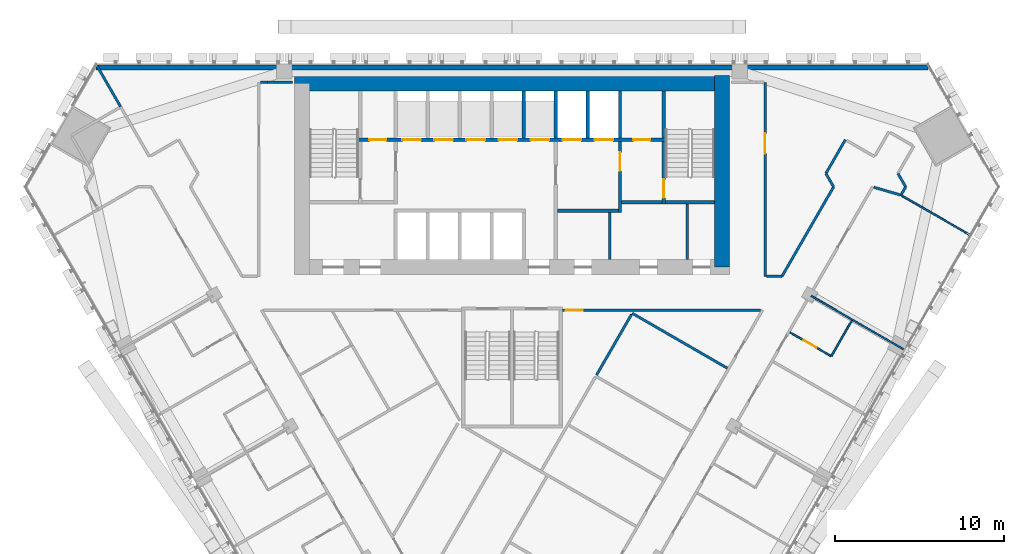
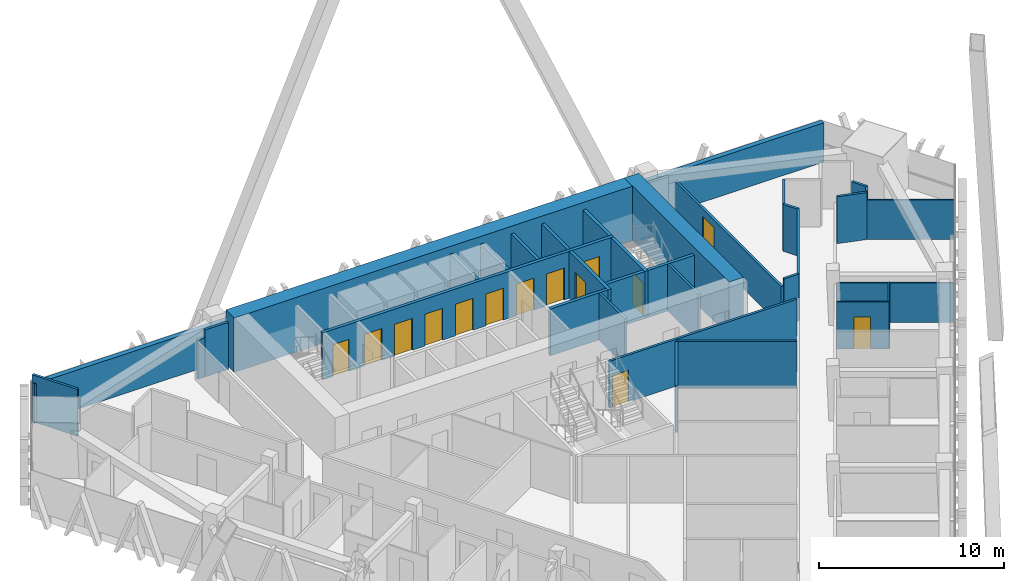
# One storey, part 19 of 23: 34 walls, 14 doors, 14 openings.
"""IFC4 building model written with IfcOpenShell, lengths in metres."""

from ifc_helpers import new_model, si_unit, direction, frame, frame_2d, origin, place, context, subcontext, project, spatial, rectangle, extrude, material, layer, layer_set, type_object, element, fill, save


model = new_model("IFC4")

# Units and contexts
model_context = context("Model", 3, precision=1e-05, world=origin(), true_north=direction((0.0, 1.0)))
body_context = subcontext(model_context, "Body", "Model", "MODEL_VIEW")
ifc_project = project(units=[si_unit("LENGTHUNIT", "METRE"), si_unit("AREAUNIT", "SQUARE_METRE"), si_unit("VOLUMEUNIT", "CUBIC_METRE"), si_unit("PLANEANGLEUNIT", "RADIAN"), si_unit("MASSUNIT", "GRAM", prefix="KILO")], contexts=[model_context])

# Site, building, storey
site_placement = place(None, origin())
site = spatial("IfcSite", under=ifc_project, at=site_placement, CompositionType="ELEMENT")
building_placement = place(site_placement, origin())
building = spatial("IfcBuilding", under=site, at=building_placement, Name="Altiplano Prism Tower", CompositionType="ELEMENT")
storey_placement = place(building_placement, frame((0.0, 0.0, 100.800048828125)))
storey = spatial("IfcBuildingStorey", under=building, at=storey_placement, Name="L25", CompositionType="ELEMENT", Elevation=100.800048828125)

# Walls
ifc_material_1 = material(Name="Concrete C70/85", Category="concrete")
ifc_layer_1 = layer(ifc_material_1, 0.89990234375)
ifc_layer_set_1 = layer_set([ifc_layer_1], Name="Concrete C70/85")
wall_type_1 = type_object("IfcWallType", Name="Core wall 900", PredefinedType="SHEAR", material=ifc_layer_set_1)
wall_1_placement = place(storey_placement, frame((97.449951171875, 92.949951171875, 0.0), z_axis=(0.0, 0.0, 1.0), x_axis=(0.0, 1.0, 0.0)))
element("IfcWall", 1, at=wall_1_placement, inside=storey, type_object=wall_type_1, Name="Core wall E L25", PredefinedType="SHEAR", context=body_context, shape_type="SweptSolid", body=[
    extrude(rectangle(XDim=11.35009765625, YDim=0.89990234375, at=frame_2d((5.675048828125, 0.0))), origin(), (0.0, 0.0, 1.0), 3.599853515625),
])
wall_2_placement = place(storey_placement, frame((97.449951171875, 103.85009765625, 0.0), z_axis=(0.0, 0.0, 1.0), x_axis=(-1.0, 0.0, 0.0)))
element("IfcWall", 2, at=wall_2_placement, inside=storey, type_object=wall_type_1, Name="Core wall N L25", PredefinedType="SHEAR", context=body_context, shape_type="SweptSolid", body=[
    extrude(rectangle(XDim=25.349853515625, YDim=0.89990234375, at=frame_2d((12.6748046875, 0.0))), origin(), (0.0, 0.0, 1.0), 3.599853515625),
])
ifc_material_2 = material(Name="Plasterboard on steel stud", Category="steel")
ifc_layer_2 = layer(ifc_material_2, 0.10009765625)
ifc_layer_set_2 = layer_set([ifc_layer_2], Name="Plasterboard on steel stud")
wall_type_2 = type_object("IfcWallType", Name="Partition 100 unit", PredefinedType="PARTITIONING", material=ifc_layer_set_2)
wall_3_placement = place(storey_placement, frame((105.154052734375, 89.788330078125, 0.0), z_axis=(0.0, 0.0, 1.0), x_axis=(-0.500018594424, -0.866014668023, 0.0)))
element("IfcWall", 3, at=wall_3_placement, inside=storey, type_object=wall_type_2, Name="Partition P02 L25 076", PredefinedType="PARTITIONING", context=body_context, shape_type="SweptSolid", body=[
    extrude(rectangle(XDim=2.4501953125, YDim=0.10009765625, at=frame_2d((1.22509765625, 0.0))), origin(), (0.0, 0.0, 1.0), 2.699951171875),
])

# Wall, opening, door
wall_4_placement = place(storey_placement, frame((103.928955078125, 87.66650390625, 0.0), z_axis=(0.0, 0.0, 1.0), x_axis=(-0.866048868473, 0.499959355765, 0.0)))
wall_4 = element("IfcWall", 4, at=wall_4_placement, inside=storey, type_object=wall_type_2, Name="Partition P02 L25 077", PredefinedType="PARTITIONING", context=body_context, shape_type="SweptSolid", body=[
    extrude(rectangle(XDim=2.824951171875, YDim=0.10009765625, at=frame_2d((1.41259765625, 0.0))), origin(), (0.0, 0.0, 1.0), 3.099853515625),
])
opening_1_placement = place(wall_4_placement, frame((1.0, 0.0, 0.0)))
opening_1 = element("IfcOpeningElement", 5, at=opening_1_placement, cuts=wall_4, Name="Opening D0935", PredefinedType="OPENING", context=body_context, shape_type="SweptSolid", body=[
    extrude(rectangle(XDim=0.89990234375, YDim=2.10009765625, at=frame_2d((0.449951171875, 1.050048828125))), frame((0.0, 0.060546875, 0.0), z_axis=(0.0, -1.0, 0.0), x_axis=(1.0, 0.0, 0.0)), (0.0, 0.0, 1.0), 0.12109375),
])
ifc_material_3 = material(Name="Timber", Category="wood")
door_type_1 = type_object("IfcDoorType", Name="Ensuite door 900 x 2100", OperationType="NOTDEFINED", PredefinedType="NOTDEFINED", material=ifc_material_3)
door_1_placement = place(opening_1_placement, origin())
door_1 = element("IfcDoor", 6, at=door_1_placement, inside=storey, type_object=door_type_1, Name="Door D0935", OperationType="SINGLE_SWING_LEFT", OverallHeight=2.10009765625, OverallWidth=0.89990234375, PredefinedType="NOTDEFINED", context=body_context, shape_type="SweptSolid", body=[
    extrude(rectangle(XDim=0.89990234375, YDim=2.10009765625, at=frame_2d((0.449951171875, 1.050048828125))), frame((0.0, 0.02490234375, 0.0), z_axis=(0.0, -1.0, 0.0), x_axis=(1.0, 0.0, 0.0)), (0.0, 0.0, 1.0), 0.050048828125),
])
fill(opening_1, door_1)

# Walls
ifc_layer_3 = layer(ifc_material_2, 0.10009765625)
ifc_layer_set_3 = layer_set([ifc_layer_3], Name="Plasterboard on steel stud")
wall_type_3 = type_object("IfcWallType", Name="Partition 100 wet", PredefinedType="PARTITIONING", material=ifc_layer_set_3)
wall_5_placement = place(storey_placement, frame((108.210205078125, 88.08154296875, 0.0), z_axis=(0.0, 0.0, 1.0), x_axis=(-0.866025537322, 0.499999768706, 0.0)))
element("IfcWall", 7, at=wall_5_placement, inside=storey, type_object=wall_type_3, Name="Partition P03 L25 078", PredefinedType="PARTITIONING", context=body_context, shape_type="SweptSolid", body=[
    extrude(rectangle(XDim=6.3251953125, YDim=0.10009765625, at=frame_2d((3.16259765625, 0.0))), origin(), (0.0, 0.0, 1.0), 2.599853515625),
])
wall_6_placement = place(storey_placement, frame((112.1455078125, 94.857421875, 0.0), z_axis=(0.0, 0.0, 1.0), x_axis=(-0.866028828302, 0.499994068514, 0.0)))
element("IfcWall", 8, at=wall_6_placement, inside=storey, type_object=wall_type_3, Name="Partition P03 L25 079", PredefinedType="PARTITIONING", context=body_context, shape_type="SweptSolid", body=[
    extrude(rectangle(XDim=4.72021484375, YDim=0.10009765625, at=frame_2d((2.360107421875, 0.0))), origin(), (0.0, 0.0, 1.0), 2.599853515625),
])

# Wall, opening, door
ifc_layer_4 = layer(ifc_material_2, 0.14990234375)
ifc_layer_set_4 = layer_set([ifc_layer_4], Name="Plasterboard on steel stud")
wall_type_4 = type_object("IfcWallType", Name="Partition 150 corridor", PredefinedType="PARTITIONING", material=ifc_layer_set_4)
wall_7_placement = place(storey_placement, frame((88.0, 90.39990234375, 0.0), z_axis=(0.0, 0.0, 1.0), x_axis=(1.0, 0.0, 0.0)))
wall_7 = element("IfcWall", 9, at=wall_7_placement, inside=storey, type_object=wall_type_4, Name="Partition P06 L25 003", PredefinedType="PARTITIONING", context=body_context, shape_type="SweptSolid", body=[
    extrude(rectangle(XDim=11.71923828125, YDim=0.14990234375, at=frame_2d((5.859619140625, 0.0))), origin(), (0.0, 0.0, 1.0), 3.099853515625),
])
opening_2_placement = place(wall_7_placement, frame((0.199951171875, 0.0, 0.0)))
opening_2 = element("IfcOpeningElement", 10, at=opening_2_placement, cuts=wall_7, Name="Opening D0944", PredefinedType="OPENING", context=body_context, shape_type="SweptSolid", body=[
    extrude(rectangle(XDim=1.0, YDim=2.10009765625, at=frame_2d((0.5, 1.050048828125))), frame((0.0, 0.08544921875, 0.0), z_axis=(0.0, -1.0, 0.0), x_axis=(1.0, 0.0, 0.0)), (0.0, 0.0, 1.0), 0.1708984375),
])
door_type_2 = type_object("IfcDoorType", Name="Store door 1000 x 2100", OperationType="NOTDEFINED", PredefinedType="NOTDEFINED", material=ifc_material_3)
door_2_placement = place(opening_2_placement, origin())
door_2 = element("IfcDoor", 11, at=door_2_placement, inside=storey, type_object=door_type_2, Name="Door D0944", OperationType="SINGLE_SWING_LEFT", OverallHeight=2.10009765625, OverallWidth=1.0, PredefinedType="NOTDEFINED", context=body_context, shape_type="SweptSolid", body=[
    extrude(rectangle(XDim=1.0, YDim=2.10009765625, at=frame_2d((0.5, 1.050048828125))), frame((0.0, 0.02490234375, 0.0), z_axis=(0.0, -1.0, 0.0), x_axis=(1.0, 0.0, 0.0)), (0.0, 0.0, 1.0), 0.050048828125),
])
fill(opening_2, door_2)

# Walls
wall_8_placement = place(storey_placement, frame((106.44677734375, 97.685791015625, 0.0), z_axis=(0.0, 0.0, 1.0), x_axis=(0.96025063578, -0.279139242108, 0.0)))
element("IfcWall", 12, at=wall_8_placement, inside=storey, type_object=wall_type_4, Name="Partition P06 L25 013", PredefinedType="PARTITIONING", context=body_context, shape_type="SweptSolid", body=[
    extrude(rectangle(XDim=1.677490234375, YDim=0.14990234375, at=frame_2d((0.8388671875, 0.0))), origin(), (0.0, 0.0, 1.0), 3.099853515625),
])
wall_9_placement = place(storey_placement, frame((108.093994140625, 97.280517578125, 0.0), z_axis=(0.0, 0.0, 1.0), x_axis=(0.500037662692, 0.866003658127, 0.0)))
element("IfcWall", 13, at=wall_9_placement, inside=storey, type_object=wall_type_4, Name="Partition P06 L25 014", PredefinedType="PARTITIONING", context=body_context, shape_type="SweptSolid", body=[
    extrude(rectangle(XDim=0.49169921875, YDim=0.14990234375, at=frame_2d((0.245849609375, 0.0))), origin(), (0.0, 0.0, 1.0), 3.099853515625),
])
wall_10_placement = place(storey_placement, frame((108.33984375, 97.706298828125, 0.0), z_axis=(0.0, 0.0, 1.0), x_axis=(-0.500006847747, 0.8660214502, 0.0)))
element("IfcWall", 14, at=wall_10_placement, inside=storey, type_object=wall_type_4, Name="Partition P06 L25 015", PredefinedType="PARTITIONING", context=body_context, shape_type="SweptSolid", body=[
    extrude(rectangle(XDim=0.91650390625, YDim=0.14990234375, at=frame_2d((0.458251953125, 0.0))), origin(), (0.0, 0.0, 1.0), 3.099853515625),
])
wall_11_placement = place(storey_placement, frame((104.763916015625, 100.5, 0.0), z_axis=(0.0, 0.0, 1.0), x_axis=(-0.500027479704, -0.866009537788, 0.0)))
element("IfcWall", 15, at=wall_11_placement, inside=storey, type_object=wall_type_4, Name="Partition P06 L25 020", PredefinedType="PARTITIONING", context=body_context, shape_type="SweptSolid", body=[
    extrude(rectangle(XDim=2.309326171875, YDim=0.14990234375, at=frame_2d((1.15478515625, 0.0))), origin(), (0.0, 0.0, 1.0), 3.099853515625),
])
wall_12_placement = place(storey_placement, frame((103.609130859375, 98.5, 0.0), z_axis=(0.0, 0.0, 1.0), x_axis=(0.500006847747, -0.8660214502, 0.0)))
element("IfcWall", 16, at=wall_12_placement, inside=storey, type_object=wall_type_4, Name="Partition P06 L25 021", PredefinedType="PARTITIONING", context=body_context, shape_type="SweptSolid", body=[
    extrude(rectangle(XDim=0.91650390625, YDim=0.14990234375, at=frame_2d((0.458251953125, 0.0))), origin(), (0.0, 0.0, 1.0), 3.099853515625),
])
wall_13_placement = place(storey_placement, frame((104.0673828125, 97.706298828125, 0.0), z_axis=(0.0, 0.0, 1.0), x_axis=(-0.499978838982, -0.866037620759, 0.0)))
element("IfcWall", 17, at=wall_13_placement, inside=storey, type_object=wall_type_4, Name="Partition P06 L25 022", PredefinedType="PARTITIONING", context=body_context, shape_type="SweptSolid", body=[
    extrude(rectangle(XDim=6.127197265625, YDim=0.14990234375, at=frame_2d((3.0634765625, 0.0))), origin(), (0.0, 0.0, 1.0), 3.099853515625),
])
wall_14_placement = place(storey_placement, frame((101.00390625, 92.39990234375, 0.0), z_axis=(0.0, 0.0, 1.0), x_axis=(-1.0, 0.0, 0.0)))
element("IfcWall", 18, at=wall_14_placement, inside=storey, type_object=wall_type_4, Name="Partition P06 L25 023", PredefinedType="PARTITIONING", context=body_context, shape_type="SweptSolid", body=[
    extrude(rectangle(XDim=0.928955078125, YDim=0.14990234375, at=frame_2d((0.46435546875, 0.0))), origin(), (0.0, 0.0, 1.0), 3.099853515625),
])

# Wall, opening, door
wall_15_placement = place(storey_placement, frame((100.0, 92.39990234375, 0.0), z_axis=(0.0, 0.0, 1.0), x_axis=(0.0, 1.0, 0.0)))
wall_15 = element("IfcWall", 19, at=wall_15_placement, inside=storey, type_object=wall_type_4, Name="Partition P06 L25 024", PredefinedType="PARTITIONING", context=body_context, shape_type="SweptSolid", body=[
    extrude(rectangle(XDim=11.5, YDim=0.14990234375, at=frame_2d((5.75, 0.0))), origin(), (0.0, 0.0, 1.0), 2.599853515625),
])
opening_3_placement = place(wall_15_placement, frame((7.281005859375, 0.0, 0.0)))
opening_3 = element("IfcOpeningElement", 20, at=opening_3_placement, cuts=wall_15, Name="Opening D0937", PredefinedType="OPENING", context=body_context, shape_type="SweptSolid", body=[
    extrude(rectangle(XDim=1.199951171875, YDim=2.10009765625, at=frame_2d((0.60009765625, 1.050048828125))), frame((0.0, 0.08544921875, 0.0), z_axis=(0.0, -1.0, 0.0), x_axis=(1.0, 0.0, 0.0)), (0.0, 0.0, 1.0), 0.1708984375),
])
door_type_3 = type_object("IfcDoorType", Name="Shared room door 1200 x 2100", OperationType="NOTDEFINED", PredefinedType="NOTDEFINED", material=ifc_material_3)
door_3_placement = place(opening_3_placement, origin())
door_3 = element("IfcDoor", 21, at=door_3_placement, inside=storey, type_object=door_type_3, Name="Door D0937", OperationType="SINGLE_SWING_LEFT", OverallHeight=2.10009765625, OverallWidth=1.199951171875, PredefinedType="NOTDEFINED", context=body_context, shape_type="SweptSolid", body=[
    extrude(rectangle(XDim=1.199951171875, YDim=2.10009765625, at=frame_2d((0.60009765625, 1.050048828125))), frame((0.0, 0.02490234375, 0.0), z_axis=(0.0, -1.0, 0.0), x_axis=(1.0, 0.0, 0.0)), (0.0, 0.0, 1.0), 0.050048828125),
])
fill(opening_3, door_3)

# Walls
wall_16_placement = place(storey_placement, frame((72.0, 103.89990234375, 0.0), z_axis=(0.0, 0.0, 1.0), x_axis=(-1.0, 0.0, 0.0)))
element("IfcWall", 22, at=wall_16_placement, inside=storey, type_object=wall_type_4, Name="Partition P06 L25 027", PredefinedType="PARTITIONING", context=body_context, shape_type="SweptSolid", body=[
    extrude(rectangle(XDim=1.4931640625, YDim=0.14990234375, at=frame_2d((0.74658203125, 0.0))), origin(), (0.0, 0.0, 1.0), 3.099853515625),
])
wall_17_placement = place(storey_placement, frame((70.5068359375, 103.89990234375, 0.0), z_axis=(0.0, 0.0, 1.0), x_axis=(-1.0, 0.0, 0.0)))
element("IfcWall", 23, at=wall_17_placement, inside=storey, type_object=wall_type_4, Name="Partition P06 L25 028", PredefinedType="PARTITIONING", context=body_context, shape_type="SweptSolid", body=[
    extrude(rectangle(XDim=0.431884765625, YDim=0.14990234375, at=frame_2d((0.2158203125, 0.0))), origin(), (0.0, 0.0, 1.0), 2.599853515625),
])
ifc_layer_5 = layer(ifc_material_2, 0.14990234375)
ifc_layer_set_5 = layer_set([ifc_layer_5], Name="Plasterboard on steel stud")
wall_type_5 = type_object("IfcWallType", Name="Partition 150 party", PredefinedType="PARTITIONING", material=ifc_layer_set_5)
wall_18_placement = place(storey_placement, frame((92.126220703125, 90.213623046875, 0.0), z_axis=(0.0, 0.0, 1.0), x_axis=(0.866024706996, -0.500001206871, 0.0)))
element("IfcWall", 24, at=wall_18_placement, inside=storey, type_object=wall_type_5, Name="Partition P01 L25 043", PredefinedType="PARTITIONING", context=body_context, shape_type="SweptSolid", body=[
    extrude(rectangle(XDim=6.52001953125, YDim=0.14990234375, at=frame_2d((3.260009765625, 0.0))), origin(), (0.0, 0.0, 1.0), 3.099853515625),
])
wall_19_placement = place(storey_placement, frame((61.7939453125, 102.4619140625, 0.0), z_axis=(0.0, 0.0, 1.0), x_axis=(-0.49997269499, 0.866041167766, 0.0)))
element("IfcWall", 25, at=wall_19_placement, inside=storey, type_object=wall_type_5, Name="Partition P01 L25 046", PredefinedType="PARTITIONING", context=body_context, shape_type="SweptSolid", body=[
    extrude(rectangle(XDim=2.815185546875, YDim=0.14990234375, at=frame_2d((1.40771484375, 0.0))), origin(), (0.0, 0.0, 1.0), 3.099853515625),
])
wall_20_placement = place(storey_placement, frame((92.088623046875, 90.148681640625, 0.0), z_axis=(0.0, 0.0, 1.0), x_axis=(-0.500010491815, -0.866019346247, 0.0)))
element("IfcWall", 26, at=wall_20_placement, inside=storey, type_object=wall_type_5, Name="Partition P01 L25 084", PredefinedType="PARTITIONING", context=body_context, shape_type="SweptSolid", body=[
    extrude(rectangle(XDim=4.15771484375, YDim=0.14990234375, at=frame_2d((2.078857421875, 0.0))), origin(), (0.0, 0.0, 1.0), 3.099853515625),
])
ifc_material_4 = material(Name="Fire-rated gypsum board partition")
ifc_layer_6 = layer(ifc_material_4, 0.14990234375)
ifc_layer_set_6 = layer_set([ifc_layer_6], Name="Fire-rated gypsum board partition")
wall_type_6 = type_object("IfcWallType", Name="Room partition 150", PredefinedType="PARTITIONING", material=ifc_layer_set_6)
wall_21_placement = place(storey_placement, frame((90.800048828125, 93.39990234375, 0.0), z_axis=(0.0, 0.0, 1.0), x_axis=(0.0, 1.0, 0.0)))
element("IfcWall", 27, at=wall_21_placement, inside=storey, type_object=wall_type_6, Name="Room partition L25", PredefinedType="PARTITIONING", context=body_context, shape_type="SweptSolid", body=[
    extrude(rectangle(XDim=2.800048828125, YDim=0.14990234375, at=frame_2d((1.39990234375, 0.0))), origin(), (0.0, 0.0, 1.0), 3.099853515625),
])
wall_22_placement = place(storey_placement, frame((95.39990234375, 93.39990234375, 0.0), z_axis=(0.0, 0.0, 1.0), x_axis=(0.0, 1.0, 0.0)))
element("IfcWall", 28, at=wall_22_placement, inside=storey, type_object=wall_type_6, Name="Room partition L25", PredefinedType="PARTITIONING", context=body_context, shape_type="SweptSolid", body=[
    extrude(rectangle(XDim=3.300048828125, YDim=0.14990234375, at=frame_2d((1.64990234375, 0.0))), origin(), (0.0, 0.0, 1.0), 3.099853515625),
])
ifc_material_5 = material(Name="Concrete C60/75", Category="concrete")
ifc_layer_7 = layer(ifc_material_5, 0.199951171875)
ifc_layer_set_7 = layer_set([ifc_layer_7], Name="Concrete C60/75")
wall_type_7 = type_object("IfcWallType", Name="Shaft wall 200", PredefinedType="SOLIDWALL", material=ifc_layer_set_7)
for number, where, z_axis, x_axis, name in (
    (29, (85.699951171875, 100.60009765625, 0.0), (0.0, 0.0, 1.0), (0.0, 1.0, 0.0), "Shaft wall L25"),
    (30, (87.60009765625, 100.60009765625, 0.0), (0.0, 0.0, 1.0), (0.0, 1.0, 0.0), "Shaft wall L25"),
    (31, (89.5, 100.60009765625, 0.0), (0.0, 0.0, 1.0), (0.0, 1.0, 0.0), "Shaft wall L25"),
    (32, (91.39990234375, 100.60009765625, 0.0), (0.0, 0.0, 1.0), (0.0, 1.0, 0.0), "Shaft wall L25"),
):
    element("IfcWall", number, at=place(storey_placement, frame(where, z_axis=z_axis, x_axis=x_axis)), inside=storey, type_object=wall_type_7, Name=name, PredefinedType="SOLIDWALL", context=body_context, shape_type="SweptSolid", body=[
        extrude(rectangle(XDim=2.7998046875, YDim=0.199951171875, at=frame_2d((1.39990234375, 0.0))), origin(), (0.0, 0.0, 1.0), 3.099853515625),
    ])

# Wall, opening, door
ifc_layer_8 = layer(ifc_material_5, 0.199951171875)
ifc_layer_set_8 = layer_set([ifc_layer_8], Name="Concrete C60/75")
wall_type_8 = type_object("IfcWallType", Name="Stair wall 200", PredefinedType="SOLIDWALL", material=ifc_layer_set_8)
wall_23_placement = place(storey_placement, frame((94.0, 96.699951171875, 0.0), z_axis=(0.0, 0.0, 1.0), x_axis=(0.0, 1.0, 0.0)))
wall_23 = element("IfcWall", 33, at=wall_23_placement, inside=storey, type_object=wall_type_8, Name="Stair wall L25", PredefinedType="SOLIDWALL", context=body_context, shape_type="SweptSolid", body=[
    extrude(rectangle(XDim=3.699951171875, YDim=0.199951171875, at=frame_2d((1.85009765625, 0.0))), origin(), (0.0, 0.0, 1.0), 3.099853515625),
])
opening_4_placement = place(wall_23_placement, frame((0.35009765625, 0.0, 0.0)))
opening_4 = element("IfcOpeningElement", 34, at=opening_4_placement, cuts=wall_23, Name="Opening D2921", PredefinedType="OPENING", context=body_context, shape_type="SweptSolid", body=[
    extrude(rectangle(XDim=1.10009765625, YDim=2.10009765625, at=frame_2d((0.550048828125, 1.050048828125))), frame((0.0, 0.1103515625, 0.0), z_axis=(0.0, -1.0, 0.0), x_axis=(1.0, 0.0, 0.0)), (0.0, 0.0, 1.0), 0.220947265625),
])
ifc_material_6 = material(Name="Fire-rated steel door", Category="steel")
door_type_4 = type_object("IfcDoorType", Name="Stair fire door 1100 x 2100", OperationType="NOTDEFINED", PredefinedType="NOTDEFINED", material=ifc_material_6)
door_4_placement = place(opening_4_placement, origin())
door_4 = element("IfcDoor", 35, at=door_4_placement, inside=storey, type_object=door_type_4, Name="Stair fire door D2921", OperationType="SINGLE_SWING_LEFT", OverallHeight=2.10009765625, OverallWidth=1.10009765625, PredefinedType="NOTDEFINED", context=body_context, shape_type="SweptSolid", body=[
    extrude(rectangle(XDim=1.10009765625, YDim=2.10009765625, at=frame_2d((0.550048828125, 1.050048828125))), frame((0.0, 0.02490234375, 0.0), z_axis=(0.0, -1.0, 0.0), x_axis=(1.0, 0.0, 0.0)), (0.0, 0.0, 1.0), 0.050048828125),
])
fill(opening_4, door_4)

# Wall
wall_24_placement = place(storey_placement, frame((94.10009765625, 96.800048828125, 0.0), z_axis=(0.0, 0.0, 1.0), x_axis=(1.0, 0.0, 0.0)))
element("IfcWall", 36, at=wall_24_placement, inside=storey, type_object=wall_type_8, Name="Stair wall L25", PredefinedType="SOLIDWALL", context=body_context, shape_type="SweptSolid", body=[
    extrude(rectangle(XDim=2.89990234375, YDim=0.199951171875, at=frame_2d((1.449951171875, 0.0))), origin(), (0.0, 0.0, 1.0), 3.099853515625),
])

# Wall, openings, doors
wall_25_placement = place(storey_placement, frame((75.89990234375, 100.5, 0.0), z_axis=(0.0, 0.0, 1.0), x_axis=(1.0, 0.0, 0.0)))
wall_25 = element("IfcWall", 37, at=wall_25_placement, inside=storey, type_object=wall_type_8, Name="Stair wall L25", PredefinedType="SOLIDWALL", context=body_context, shape_type="SweptSolid", body=[
    extrude(rectangle(XDim=18.2001953125, YDim=0.199951171875, at=frame_2d((9.10009765625, 0.0))), origin(), (0.0, 0.0, 1.0), 3.099853515625),
])
opening_5_placement = place(wall_25_placement, frame((2.60009765625, 0.0, 0.0)))
opening_5 = element("IfcOpeningElement", 38, at=opening_5_placement, cuts=wall_25, Name="Opening LD-LL1-L25", PredefinedType="OPENING", context=body_context, shape_type="SweptSolid", body=[
    extrude(rectangle(XDim=1.10009765625, YDim=2.10009765625, at=frame_2d((0.550048828125, 1.050048828125))), frame((0.0, 0.1103515625, 0.0), z_axis=(0.0, -1.0, 0.0), x_axis=(1.0, 0.0, 0.0)), (0.0, 0.0, 1.0), 0.220947265625),
])
opening_6_placement = place(wall_25_placement, frame((4.5, 0.0, 0.0)))
opening_6 = element("IfcOpeningElement", 39, at=opening_6_placement, cuts=wall_25, Name="Opening LD-LL2-L25", PredefinedType="OPENING", context=body_context, shape_type="SweptSolid", body=[
    extrude(rectangle(XDim=1.10009765625, YDim=2.10009765625, at=frame_2d((0.550048828125, 1.050048828125))), frame((0.0, 0.1103515625, 0.0), z_axis=(0.0, -1.0, 0.0), x_axis=(1.0, 0.0, 0.0)), (0.0, 0.0, 1.0), 0.220947265625),
])
opening_7_placement = place(wall_25_placement, frame((6.39990234375, 0.0, 0.0)))
opening_7 = element("IfcOpeningElement", 40, at=opening_7_placement, cuts=wall_25, Name="Opening LD-LL3-L25", PredefinedType="OPENING", context=body_context, shape_type="SweptSolid", body=[
    extrude(rectangle(XDim=1.10009765625, YDim=2.10009765625, at=frame_2d((0.550048828125, 1.050048828125))), frame((0.0, 0.1103515625, 0.0), z_axis=(0.0, -1.0, 0.0), x_axis=(1.0, 0.0, 0.0)), (0.0, 0.0, 1.0), 0.220947265625),
])
opening_8_placement = place(wall_25_placement, frame((8.300048828125, 0.0, 0.0)))
opening_8 = element("IfcOpeningElement", 41, at=opening_8_placement, cuts=wall_25, Name="Opening LD-LL4-L25", PredefinedType="OPENING", context=body_context, shape_type="SweptSolid", body=[
    extrude(rectangle(XDim=1.10009765625, YDim=2.10009765625, at=frame_2d((0.550048828125, 1.050048828125))), frame((0.0, 0.1103515625, 0.0), z_axis=(0.0, -1.0, 0.0), x_axis=(1.0, 0.0, 0.0)), (0.0, 0.0, 1.0), 0.220947265625),
])
opening_9_placement = place(wall_25_placement, frame((10.199951171875, 0.0, 0.0)))
opening_9 = element("IfcOpeningElement", 42, at=opening_9_placement, cuts=wall_25, Name="Opening LD-LL5-L25", PredefinedType="OPENING", context=body_context, shape_type="SweptSolid", body=[
    extrude(rectangle(XDim=1.10009765625, YDim=2.10009765625, at=frame_2d((0.550048828125, 1.050048828125))), frame((0.0, 0.1103515625, 0.0), z_axis=(0.0, -1.0, 0.0), x_axis=(1.0, 0.0, 0.0)), (0.0, 0.0, 1.0), 0.220947265625),
])
opening_10_placement = place(wall_25_placement, frame((12.10009765625, 0.0, 0.0)))
opening_10 = element("IfcOpeningElement", 43, at=opening_10_placement, cuts=wall_25, Name="Opening LD-FF1-L25", PredefinedType="OPENING", context=body_context, shape_type="SweptSolid", body=[
    extrude(rectangle(XDim=1.10009765625, YDim=2.10009765625, at=frame_2d((0.550048828125, 1.050048828125))), frame((0.0, 0.1103515625, 0.0), z_axis=(0.0, -1.0, 0.0), x_axis=(1.0, 0.0, 0.0)), (0.0, 0.0, 1.0), 0.220947265625),
])
opening_11_placement = place(wall_25_placement, frame((14.0, 0.0, 0.0)))
opening_11 = element("IfcOpeningElement", 44, at=opening_11_placement, cuts=wall_25, Name="Opening LD-FF2-L25", PredefinedType="OPENING", context=body_context, shape_type="SweptSolid", body=[
    extrude(rectangle(XDim=1.10009765625, YDim=2.10009765625, at=frame_2d((0.550048828125, 1.050048828125))), frame((0.0, 0.1103515625, 0.0), z_axis=(0.0, -1.0, 0.0), x_axis=(1.0, 0.0, 0.0)), (0.0, 0.0, 1.0), 0.220947265625),
])
opening_12_placement = place(wall_25_placement, frame((0.64990234375, 0.0, 0.0)))
opening_12 = element("IfcOpeningElement", 45, at=opening_12_placement, cuts=wall_25, Name="Opening D2928", PredefinedType="OPENING", context=body_context, shape_type="SweptSolid", body=[
    extrude(rectangle(XDim=1.0, YDim=2.10009765625, at=frame_2d((0.5, 1.050048828125))), frame((0.0, 0.1103515625, 0.0), z_axis=(0.0, -1.0, 0.0), x_axis=(1.0, 0.0, 0.0)), (0.0, 0.0, 1.0), 0.220947265625),
])
opening_13_placement = place(wall_25_placement, frame((16.300048828125, 0.0, 0.0)))
opening_13 = element("IfcOpeningElement", 46, at=opening_13_placement, cuts=wall_25, Name="Opening D2929", PredefinedType="OPENING", context=body_context, shape_type="SweptSolid", body=[
    extrude(rectangle(XDim=1.0, YDim=2.10009765625, at=frame_2d((0.5, 1.050048828125))), frame((0.0, 0.1103515625, 0.0), z_axis=(0.0, -1.0, 0.0), x_axis=(1.0, 0.0, 0.0)), (0.0, 0.0, 1.0), 0.220947265625),
])
door_type_5 = type_object("IfcDoorType", Name="Core room door 1000 x 2100", OperationType="NOTDEFINED", PredefinedType="NOTDEFINED", material=ifc_material_6)
door_5_placement = place(opening_12_placement, origin())
door_5 = element("IfcDoor", 47, at=door_5_placement, inside=storey, type_object=door_type_5, Name="Core room door D2928", OperationType="SINGLE_SWING_LEFT", OverallHeight=2.10009765625, OverallWidth=1.0, PredefinedType="NOTDEFINED", context=body_context, shape_type="SweptSolid", body=[
    extrude(rectangle(XDim=1.0, YDim=2.10009765625, at=frame_2d((0.5, 1.050048828125))), frame((0.0, 0.02490234375, 0.0), z_axis=(0.0, -1.0, 0.0), x_axis=(1.0, 0.0, 0.0)), (0.0, 0.0, 1.0), 0.050048828125),
])
fill(opening_12, door_5)
door_6_placement = place(opening_13_placement, origin())
door_6 = element("IfcDoor", 48, at=door_6_placement, inside=storey, type_object=door_type_5, Name="Core room door D2929", OperationType="SINGLE_SWING_RIGHT", OverallHeight=2.10009765625, OverallWidth=1.0, PredefinedType="NOTDEFINED", context=body_context, shape_type="SweptSolid", body=[
    extrude(rectangle(XDim=1.0, YDim=2.10009765625, at=frame_2d((0.5, 1.050048828125))), frame((0.0, 0.02490234375, 0.0), z_axis=(0.0, -1.0, 0.0), x_axis=(1.0, 0.0, 0.0)), (0.0, 0.0, 1.0), 0.050048828125),
])
fill(opening_13, door_6)
ifc_material_7 = material(Name="Stainless steel landing door", Category="steel")
door_type_6 = type_object("IfcDoorType", Name="Landing door 1100 x 2100", OperationType="NOTDEFINED", PredefinedType="NOTDEFINED", material=ifc_material_7)
door_7_placement = place(opening_5_placement, origin())
door_7 = element("IfcDoor", 49, at=door_7_placement, inside=storey, type_object=door_type_6, Name="Landing doors LL1", OperationType="SLIDING_TO_RIGHT", OverallHeight=2.10009765625, OverallWidth=1.10009765625, PredefinedType="NOTDEFINED", context=body_context, shape_type="SweptSolid", body=[
    extrude(rectangle(XDim=1.10009765625, YDim=2.10009765625, at=frame_2d((0.550048828125, 1.050048828125))), frame((0.0, 0.02490234375, 0.0), z_axis=(0.0, -1.0, 0.0), x_axis=(1.0, 0.0, 0.0)), (0.0, 0.0, 1.0), 0.050048828125),
])
fill(opening_5, door_7)
door_8_placement = place(opening_6_placement, origin())
door_8 = element("IfcDoor", 50, at=door_8_placement, inside=storey, type_object=door_type_6, Name="Landing doors LL2", OperationType="SLIDING_TO_LEFT", OverallHeight=2.10009765625, OverallWidth=1.10009765625, PredefinedType="NOTDEFINED", context=body_context, shape_type="SweptSolid", body=[
    extrude(rectangle(XDim=1.10009765625, YDim=2.10009765625, at=frame_2d((0.550048828125, 1.050048828125))), frame((0.0, 0.02490234375, 0.0), z_axis=(0.0, -1.0, 0.0), x_axis=(1.0, 0.0, 0.0)), (0.0, 0.0, 1.0), 0.050048828125),
])
fill(opening_6, door_8)
door_9_placement = place(opening_7_placement, origin())
door_9 = element("IfcDoor", 51, at=door_9_placement, inside=storey, type_object=door_type_6, Name="Landing doors LL3", OperationType="SLIDING_TO_RIGHT", OverallHeight=2.10009765625, OverallWidth=1.10009765625, PredefinedType="NOTDEFINED", context=body_context, shape_type="SweptSolid", body=[
    extrude(rectangle(XDim=1.10009765625, YDim=2.10009765625, at=frame_2d((0.550048828125, 1.050048828125))), frame((0.0, 0.02490234375, 0.0), z_axis=(0.0, -1.0, 0.0), x_axis=(1.0, 0.0, 0.0)), (0.0, 0.0, 1.0), 0.050048828125),
])
fill(opening_7, door_9)
door_10_placement = place(opening_8_placement, origin())
door_10 = element("IfcDoor", 52, at=door_10_placement, inside=storey, type_object=door_type_6, Name="Landing doors LL4", OperationType="SLIDING_TO_LEFT", OverallHeight=2.10009765625, OverallWidth=1.10009765625, PredefinedType="NOTDEFINED", context=body_context, shape_type="SweptSolid", body=[
    extrude(rectangle(XDim=1.10009765625, YDim=2.10009765625, at=frame_2d((0.550048828125, 1.050048828125))), frame((0.0, 0.02490234375, 0.0), z_axis=(0.0, -1.0, 0.0), x_axis=(1.0, 0.0, 0.0)), (0.0, 0.0, 1.0), 0.050048828125),
])
fill(opening_8, door_10)
door_11_placement = place(opening_9_placement, origin())
door_11 = element("IfcDoor", 53, at=door_11_placement, inside=storey, type_object=door_type_6, Name="Landing doors LL5", OperationType="SLIDING_TO_RIGHT", OverallHeight=2.10009765625, OverallWidth=1.10009765625, PredefinedType="NOTDEFINED", context=body_context, shape_type="SweptSolid", body=[
    extrude(rectangle(XDim=1.10009765625, YDim=2.10009765625, at=frame_2d((0.550048828125, 1.050048828125))), frame((0.0, 0.02490234375, 0.0), z_axis=(0.0, -1.0, 0.0), x_axis=(1.0, 0.0, 0.0)), (0.0, 0.0, 1.0), 0.050048828125),
])
fill(opening_9, door_11)
door_12_placement = place(opening_10_placement, origin())
door_12 = element("IfcDoor", 54, at=door_12_placement, inside=storey, type_object=door_type_6, Name="Landing doors FF1", OperationType="SLIDING_TO_RIGHT", OverallHeight=2.10009765625, OverallWidth=1.10009765625, PredefinedType="NOTDEFINED", context=body_context, shape_type="SweptSolid", body=[
    extrude(rectangle(XDim=1.10009765625, YDim=2.10009765625, at=frame_2d((0.550048828125, 1.050048828125))), frame((0.0, 0.02490234375, 0.0), z_axis=(0.0, -1.0, 0.0), x_axis=(1.0, 0.0, 0.0)), (0.0, 0.0, 1.0), 0.050048828125),
])
fill(opening_10, door_12)
door_13_placement = place(opening_11_placement, origin())
door_13 = element("IfcDoor", 55, at=door_13_placement, inside=storey, type_object=door_type_6, Name="Landing doors FF2", OperationType="SLIDING_TO_LEFT", OverallHeight=2.10009765625, OverallWidth=1.10009765625, PredefinedType="NOTDEFINED", context=body_context, shape_type="SweptSolid", body=[
    extrude(rectangle(XDim=1.10009765625, YDim=2.10009765625, at=frame_2d((0.550048828125, 1.050048828125))), frame((0.0, 0.02490234375, 0.0), z_axis=(0.0, -1.0, 0.0), x_axis=(1.0, 0.0, 0.0)), (0.0, 0.0, 1.0), 0.050048828125),
])
fill(opening_11, door_13)

# Walls
wall_26_placement = place(storey_placement, frame((94.0, 100.60009765625, 0.0), z_axis=(0.0, 0.0, 1.0), x_axis=(0.0, 1.0, 0.0)))
element("IfcWall", 56, at=wall_26_placement, inside=storey, type_object=wall_type_8, Name="Stair wall L25", PredefinedType="SOLIDWALL", context=body_context, shape_type="SweptSolid", body=[
    extrude(rectangle(XDim=2.7998046875, YDim=0.199951171875, at=frame_2d((1.39990234375, 0.0))), origin(), (0.0, 0.0, 1.0), 3.099853515625),
])
ifc_material_8 = material(Name="Concrete C40", Category="concrete")
ifc_layer_9 = layer(ifc_material_8, 0.300048828125)
ifc_layer_set_9 = layer_set([ifc_layer_9], Name="Concrete C40")
wall_type_9 = type_object("IfcWallType", Name="Stone-clad external wall 300", PredefinedType="SOLIDWALL", material=ifc_layer_set_9)
wall_27_placement = place(storey_placement, frame((60.32861328125, 104.7900390625, 0.0), z_axis=(0.0, 0.0, 1.0), x_axis=(1.0, 0.0, 0.0)))
element("IfcWall", 57, at=wall_27_placement, inside=storey, type_object=wall_type_9, Name="External wall north face L25", PredefinedType="SOLIDWALL", context=body_context, shape_type="SweptSolid", body=[
    extrude(rectangle(XDim=49.3427734375, YDim=0.300048828125, at=frame_2d((24.67138671875, 0.0))), origin(), (0.0, 0.0, 1.0), 2.599853515625),
])
ifc_layer_10 = layer(ifc_material_5, 0.199951171875)
ifc_layer_set_10 = layer_set([ifc_layer_10], Name="Concrete C60/75")
wall_type_10 = type_object("IfcWallType", Name="Vestibule wall 200", PredefinedType="PARTITIONING", material=ifc_layer_set_10)
wall_28_placement = place(storey_placement, frame((87.699951171875, 96.300048828125, 0.0), z_axis=(0.0, 0.0, 1.0), x_axis=(1.0, 0.0, 0.0)))
element("IfcWall", 58, at=wall_28_placement, inside=storey, type_object=wall_type_10, Name="Vestibule wall L25", PredefinedType="PARTITIONING", context=body_context, shape_type="SweptSolid", body=[
    extrude(rectangle(XDim=3.60009765625, YDim=0.199951171875, at=frame_2d((1.800048828125, 0.0))), origin(), (0.0, 0.0, 1.0), 3.099853515625),
])

# Wall, opening, door
wall_29_placement = place(storey_placement, frame((91.39990234375, 96.199951171875, 0.0), z_axis=(0.0, 0.0, 1.0), x_axis=(0.0, 1.0, 0.0)))
wall_29 = element("IfcWall", 59, at=wall_29_placement, inside=storey, type_object=wall_type_10, Name="Vestibule wall L25", PredefinedType="PARTITIONING", context=body_context, shape_type="SweptSolid", body=[
    extrude(rectangle(XDim=4.199951171875, YDim=0.199951171875, at=frame_2d((2.10009765625, 0.0))), origin(), (0.0, 0.0, 1.0), 3.099853515625),
])
opening_14_placement = place(wall_29_placement, frame((2.449951171875, 0.0, 0.0)))
opening_14 = element("IfcOpeningElement", 60, at=opening_14_placement, cuts=wall_29, Name="Opening D2924", PredefinedType="OPENING", context=body_context, shape_type="SweptSolid", body=[
    extrude(rectangle(XDim=1.10009765625, YDim=2.10009765625, at=frame_2d((0.550048828125, 1.050048828125))), frame((0.0, 0.1103515625, 0.0), z_axis=(0.0, -1.0, 0.0), x_axis=(1.0, 0.0, 0.0)), (0.0, 0.0, 1.0), 0.220947265625),
])
door_type_7 = type_object("IfcDoorType", Name="Vestibule fire door 1100 x 2100", OperationType="NOTDEFINED", PredefinedType="NOTDEFINED", material=ifc_material_6)
door_14_placement = place(opening_14_placement, origin())
door_14 = element("IfcDoor", 61, at=door_14_placement, inside=storey, type_object=door_type_7, Name="Vestibule fire door D2924", OperationType="SINGLE_SWING_LEFT", OverallHeight=2.10009765625, OverallWidth=1.10009765625, PredefinedType="NOTDEFINED", context=body_context, shape_type="SweptSolid", body=[
    extrude(rectangle(XDim=1.10009765625, YDim=2.10009765625, at=frame_2d((0.550048828125, 1.050048828125))), frame((0.0, 0.02490234375, 0.0), z_axis=(0.0, -1.0, 0.0), x_axis=(1.0, 0.0, 0.0)), (0.0, 0.0, 1.0), 0.050048828125),
])
fill(opening_14, door_14)

# Wall
wall_30_placement = place(storey_placement, frame((91.5, 96.800048828125, 0.0), z_axis=(0.0, 0.0, 1.0), x_axis=(1.0, 0.0, 0.0)))
element("IfcWall", 62, at=wall_30_placement, inside=storey, type_object=wall_type_10, Name="Vestibule wall L25", PredefinedType="PARTITIONING", context=body_context, shape_type="SweptSolid", body=[
    extrude(rectangle(XDim=2.39990234375, YDim=0.199951171875, at=frame_2d((1.199951171875, 0.0))), origin(), (0.0, 0.0, 1.0), 3.099853515625),
])

save(model, "model.ifc")
